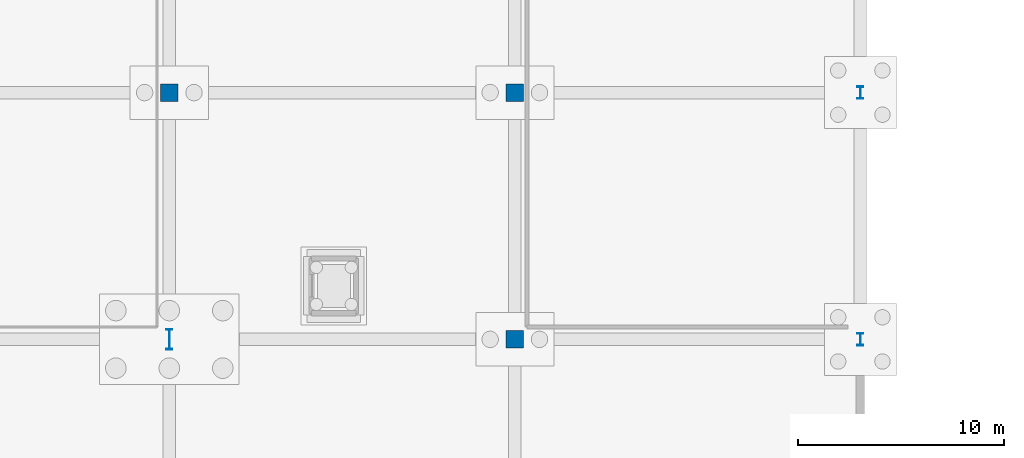
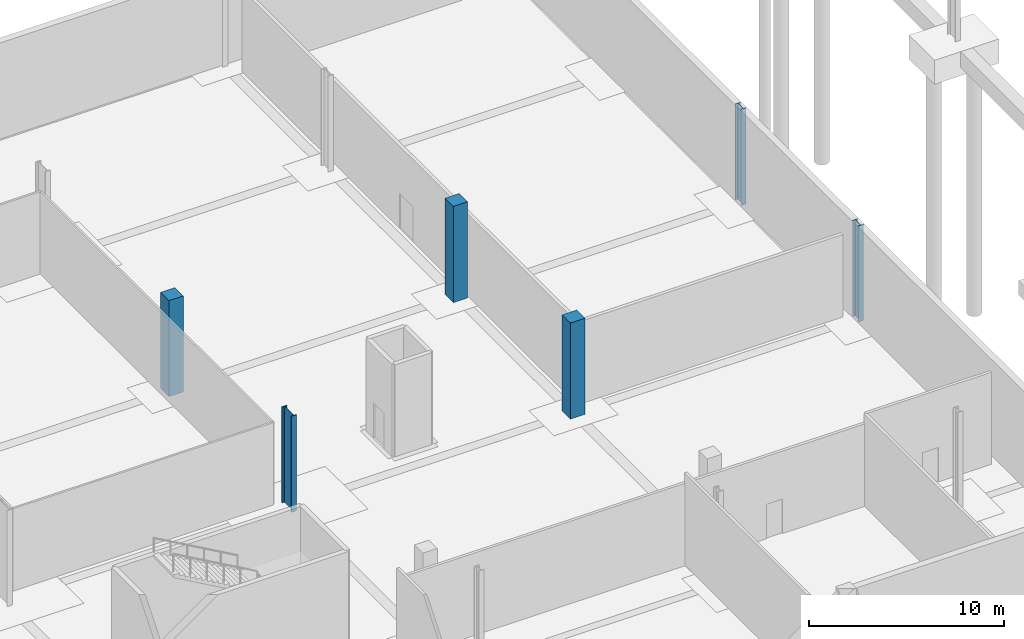
# One storey, part 16 of 46: 6 columns.
"""IFC4 building model written with IfcOpenShell, lengths in metres."""

from ifc_helpers import new_model, si_unit, direction, frame, origin, origin_2d, place, context, subcontext, project, spatial, rectangle, i_section, extrude, material, material_profile, profile_set, type_object, element, save


model = new_model("IFC4")

# Units and contexts
model_context = context("Model", 3, precision=1e-05, world=origin(), true_north=direction((0.0, 1.0)))
body_context = subcontext(model_context, "Body", "Model", "MODEL_VIEW")
ifc_project = project(units=[si_unit("LENGTHUNIT", "METRE"), si_unit("AREAUNIT", "SQUARE_METRE"), si_unit("VOLUMEUNIT", "CUBIC_METRE"), si_unit("PLANEANGLEUNIT", "RADIAN"), si_unit("MASSUNIT", "GRAM", prefix="KILO")], contexts=[model_context])

# Site, building, storey
site_placement = place(None, origin())
site = spatial("IfcSite", under=ifc_project, at=site_placement, CompositionType="ELEMENT")
building_placement = place(site_placement, origin())
building = spatial("IfcBuilding", under=site, at=building_placement, Name="Kimbaza Rail Terminus", CompositionType="ELEMENT")
storey_placement = place(building_placement, frame((0.0, 0.0, -6.0)))
storey = spatial("IfcBuildingStorey", under=building, at=storey_placement, Name="B1", CompositionType="ELEMENT", Elevation=-6.0)

# Columns
ifc_material_1 = material(Name="Steel S355", Category="steel")
ifc_material_profile_1 = material_profile(ifc_material_1, i_section(OverallWidth=0.300048828125, OverallDepth=0.60009765625, WebThickness=0.015380859375, FlangeThickness=0.030029296875, FilletRadius=0.027099609375, at=origin_2d()), Name="HEB 600")
ifc_profile_set_1 = profile_set([ifc_material_profile_1], Name="Steel S355")
column_type_1 = type_object("IfcColumnType", Name="STR-COL-HEB600", PredefinedType="COLUMN", material=ifc_profile_set_1)
for number, where, z_axis, x_axis, name in (
    (1, (189.60009765625, 55.0, 0.0), (0.0, 0.0, 1.0), (1.0, 0.0, 0.0), "Concourse Outer Wing Column B1"),
    (2, (189.60009765625, 67.0, 0.0), (0.0, 0.0, 1.0), (1.0, 0.0, 0.0), "Concourse Outer Wing Column B1"),
):
    element("IfcColumn", number, at=place(storey_placement, frame(where, z_axis=z_axis, x_axis=x_axis)), inside=storey, type_object=column_type_1, Name=name, PredefinedType="COLUMN", context=body_context, shape_type="SweptSolid", body=[
        extrude(i_section(OverallWidth=0.300048828125, OverallDepth=0.60009765625, WebThickness=0.015380859375, FlangeThickness=0.030029296875, FilletRadius=0.027099609375, at=origin_2d()), origin(), (0.0, 0.0, 1.0), 6.0),
    ])
ifc_material_2 = material(Name="Steel S355", Category="steel")
ifc_material_profile_2 = material_profile(ifc_material_2, i_section(OverallWidth=0.302001953125, OverallDepth=1.008056640625, WebThickness=0.02099609375, FlangeThickness=0.0400390625, FilletRadius=0.030029296875, at=origin_2d()), Name="HEM 1000")
ifc_profile_set_2 = profile_set([ifc_material_profile_2], Name="Steel S355")
column_type_2 = type_object("IfcColumnType", Name="STR-COL-HEM1000", PredefinedType="COLUMN", material=ifc_profile_set_2)
column_placement = place(storey_placement, frame((156.0, 55.0, 0.0), z_axis=(0.0, 0.0, 1.0), x_axis=(1.0, 0.0, 0.0)))
element("IfcColumn", 3, at=column_placement, inside=storey, type_object=column_type_2, Name="Metro Concourse B1 Column (6,2)", PredefinedType="COLUMN", context=body_context, shape_type="SweptSolid", body=[
    extrude(i_section(OverallWidth=0.302001953125, OverallDepth=1.008056640625, WebThickness=0.02099609375, FlangeThickness=0.0400390625, FilletRadius=0.030029296875, at=origin_2d()), origin(), (0.0, 0.0, 1.0), 6.0),
])
ifc_material_3 = material(Name="Concrete C40/50", Category="concrete")
ifc_material_profile_3 = material_profile(ifc_material_3, rectangle(XDim=0.85009765625, YDim=0.85009765625, at=origin_2d()), Name="RC 850x850")
ifc_profile_set_3 = profile_set([ifc_material_profile_3], Name="Concrete C40/50")
column_type_3 = type_object("IfcColumnType", Name="STR-COL-RC850", PredefinedType="COLUMN", material=ifc_profile_set_3)
for number, where, z_axis, x_axis, name in (
    (4, (156.0, 67.0, 0.0), (0.0, 0.0, 1.0), (1.0, 0.0, 0.0), "Metro Concourse B1 Column (6,3)"),
    (5, (172.800048828125, 55.0, 0.0), (0.0, 0.0, 1.0), (1.0, 0.0, 0.0), "Metro Concourse B1 Column (7,2)"),
    (6, (172.800048828125, 67.0, 0.0), (0.0, 0.0, 1.0), (1.0, 0.0, 0.0), "Metro Concourse B1 Column (7,3)"),
):
    element("IfcColumn", number, at=place(storey_placement, frame(where, z_axis=z_axis, x_axis=x_axis)), inside=storey, type_object=column_type_3, Name=name, PredefinedType="COLUMN", context=body_context, shape_type="SweptSolid", body=[
        extrude(rectangle(XDim=0.85009765625, YDim=0.85009765625, at=origin_2d()), origin(), (0.0, 0.0, 1.0), 6.0),
    ])

save(model, "model.ifc")
